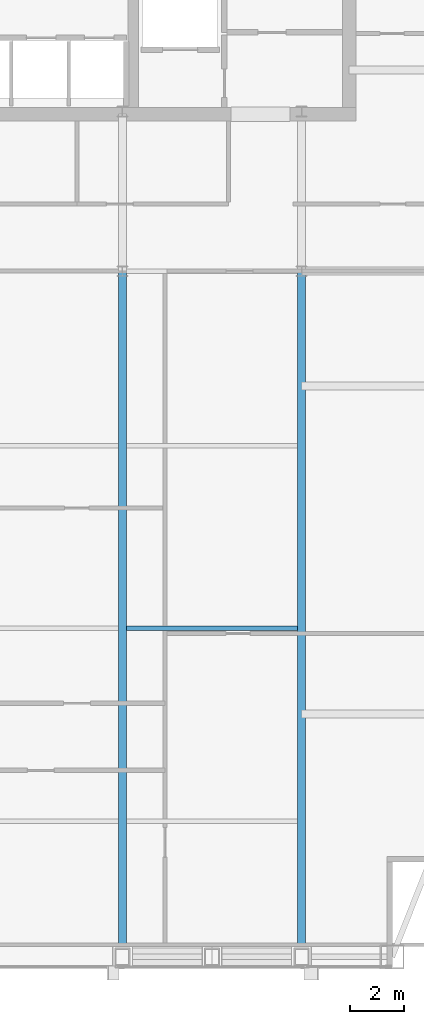
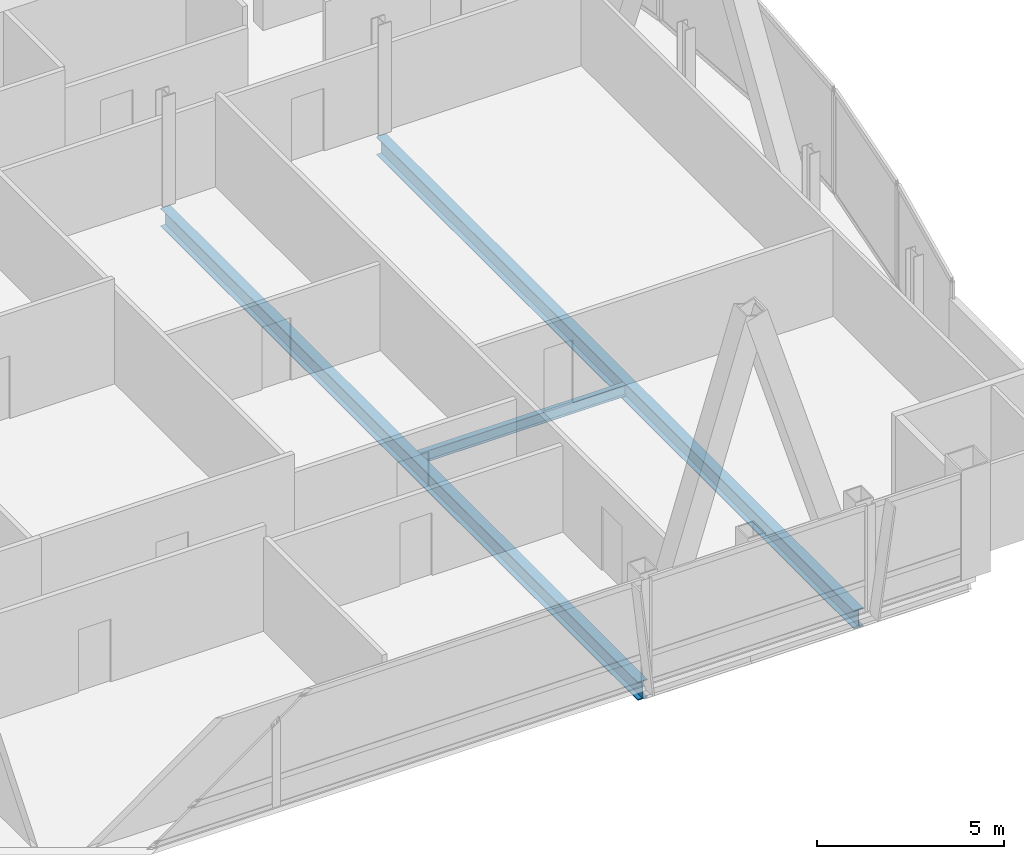
# One storey, part 14 of 29: 3 beams.
"""IFC4 building model written with IfcOpenShell, lengths in metres."""

from ifc_helpers import new_model, si_unit, direction, frame, origin, origin_2d, place, context, subcontext, project, spatial, i_section, extrude, material, material_profile, profile_set, type_object, element, save


model = new_model("IFC4")

# Units and contexts
model_context = context("Model", 3, precision=1e-05, world=origin(), true_north=direction((0.0, 1.0)))
body_context = subcontext(model_context, "Body", "Model", "MODEL_VIEW")
ifc_project = project(units=[si_unit("LENGTHUNIT", "METRE"), si_unit("AREAUNIT", "SQUARE_METRE"), si_unit("VOLUMEUNIT", "CUBIC_METRE"), si_unit("PLANEANGLEUNIT", "RADIAN"), si_unit("MASSUNIT", "GRAM", prefix="KILO")], contexts=[model_context])

# Site, building, storey
site_placement = place(None, origin())
site = spatial("IfcSite", under=ifc_project, at=site_placement, CompositionType="ELEMENT")
building_placement = place(site_placement, origin())
building = spatial("IfcBuilding", under=site, at=building_placement, Name="Khoronbel Lancet Exchange", CompositionType="ELEMENT")
storey_placement = place(building_placement, frame((0.0, 0.0, 314.60009765625)))
storey = spatial("IfcBuildingStorey", under=building, at=storey_placement, Name="L81", CompositionType="ELEMENT", Elevation=314.60009765625)

# Beams
ifc_material = material(Name="Steel S355", Category="steel")
ifc_material_profile_1 = material_profile(ifc_material, i_section(OverallWidth=0.300048828125, OverallDepth=0.60009765625, WebThickness=0.015380859375, FlangeThickness=0.030029296875, at=origin_2d()), Name="HEB 600")
ifc_profile_set_1 = profile_set([ifc_material_profile_1], Name="Steel S355")
beam_type_1 = type_object("IfcBeamType", Name="BM-BG5", PredefinedType="BEAM", material=ifc_profile_set_1)
for number, where, z_axis, x_axis, name in (
    (1, (48.0, 10.14990234375, -0.460205078125), (0.0, 1.0, 0.0), (-1.0, 0.0, 0.0), "Level L81 south primary girder GS5"),
    (2, (54.675048828125, 10.14990234375, -0.460205078125), (0.0, 1.0, 0.0), (-1.0, 0.0, 0.0), "Level L81 south primary girder GS6"),
):
    element("IfcBeam", number, at=place(storey_placement, frame(where, z_axis=z_axis, x_axis=x_axis)), inside=storey, type_object=beam_type_1, Name=name, PredefinedType="BEAM", context=body_context, shape_type="SweptSolid", body=[
        extrude(i_section(OverallWidth=0.300048828125, OverallDepth=0.60009765625, WebThickness=0.015380859375, FlangeThickness=0.030029296875, at=origin_2d()), origin(), (0.0, 0.0, 1.0), 25.550048828125),
    ])
ifc_material_profile_2 = material_profile(ifc_material, i_section(OverallWidth=0.169921875, OverallDepth=0.360107421875, WebThickness=0.008056640625, FlangeThickness=0.0126953125, at=origin_2d()), Name="IPE 360")
ifc_profile_set_2 = profile_set([ifc_material_profile_2], Name="Steel S355")
beam_type_2 = type_object("IfcBeamType", Name="BM-BJ6", PredefinedType="JOIST", material=ifc_profile_set_2)
beam_placement = place(storey_placement, frame((48.14990234375, 22.39990234375, -0.340087890625), z_axis=(1.0, 0.0, 0.0), x_axis=(0.0, 1.0, 0.0)))
element("IfcBeam", 3, at=beam_placement, inside=storey, type_object=beam_type_2, Name="Level L81 secondary composite joist J06", PredefinedType="JOIST", context=body_context, shape_type="SweptSolid", body=[
    extrude(i_section(OverallWidth=0.169921875, OverallDepth=0.360107421875, WebThickness=0.008056640625, FlangeThickness=0.0126953125, at=origin_2d()), origin(), (0.0, 0.0, 1.0), 6.375),
])

save(model, "model.ifc")
